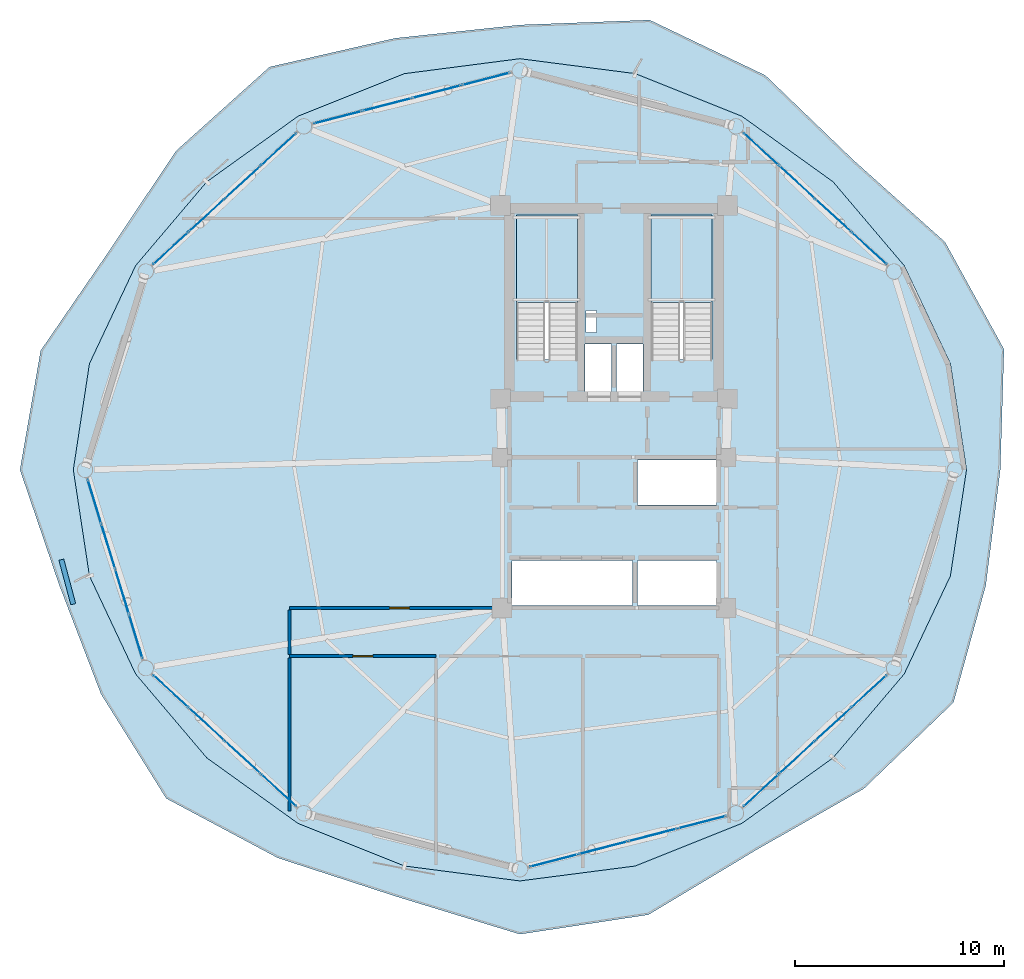
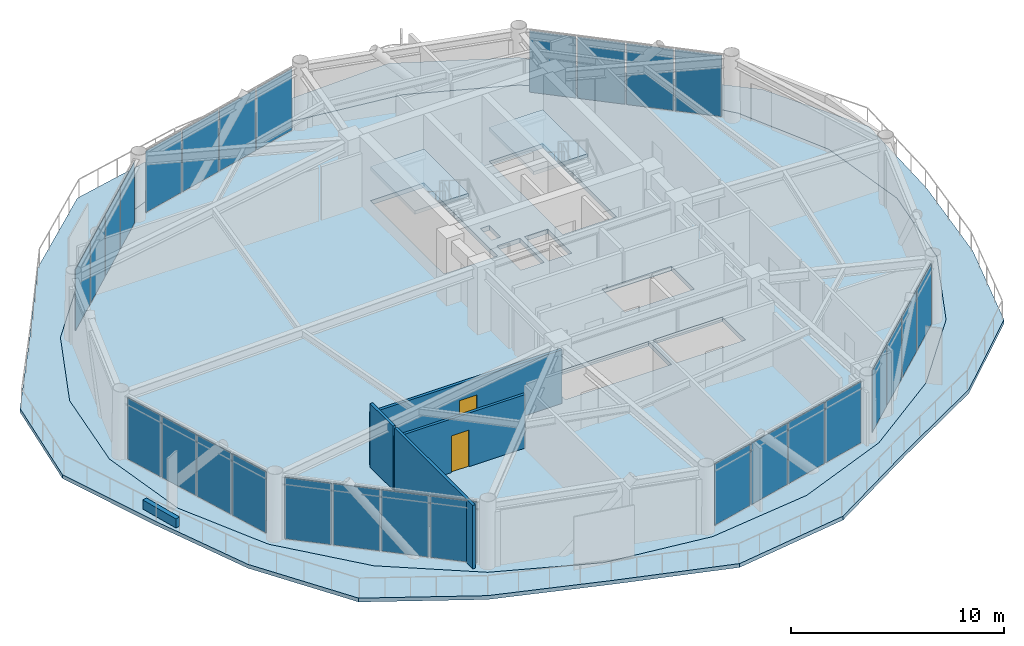
# One storey, part 17 of 23: 28 plates, 5 walls, 4 slabs, 2 doors, 2 openings, 9 elements without a shape of their own.
"""IFC4 building model written with IfcOpenShell, lengths in metres."""

import ifcopenshell
import ifcopenshell.guid

model = None  # the IFC model being written
_history = None  # IfcOwnerHistory: only IFC2X3 demands one
_inside = {}  # id of a spatial element -> (the spatial element, [elements in it])
_under = {}  # id of a project, library or spatial element -> (it, [spatial elements below it])
_declared = {}  # id of a project -> (the project, [libraries it declares])
_typed = {}  # id of a type object -> (the type object, [elements of that type])
_made_of = {}  # id of a material, layer set ... -> (it, [elements and type objects made of it])


def new_model(schema):
    """Start an empty IFC model of exactly this schema.

    Asked for "IFC4X3", IfcOpenShell would pick the latest addendum, in which some entities
    have other attributes; the version numbers below select the first issue.
    IFC2X3 requires an IfcOwnerHistory on every rooted entity: one is made here for all.
    """
    global model, _history
    if schema == "IFC4X3":
        model = ifcopenshell.file(schema_version=(4, 3, 0, 0))
    else:
        model = ifcopenshell.file(schema=schema)
    _inside.clear()
    _under.clear()
    _declared.clear()
    _typed.clear()
    _made_of.clear()
    _history = None
    if model.schema == "IFC2X3":
        org = make("IfcOrganization", Name="unknown")
        user = make(
            "IfcPersonAndOrganization",
            ThePerson=make("IfcPerson", FamilyName="unknown"),
            TheOrganization=org,
        )
        app = make(
            "IfcApplication",
            ApplicationDeveloper=org,
            Version="unknown",
            ApplicationFullName="unknown",
            ApplicationIdentifier="unknown",
        )
        _history = make(
            "IfcOwnerHistory",
            OwningUser=user,
            OwningApplication=app,
            ChangeAction="ADDED",
            CreationDate=0,
        )
    return model


def make(cls, **values):
    """One entity of the class cls with the attributes given. An attribute that is None is left unset."""
    return model.create_entity(
        cls, **{name: value for name, value in values.items() if value is not None}
    )


def rooted(cls, **values):
    """An entity with a GlobalId (a new one), such as an element, a storey or a relation."""
    return make(cls, GlobalId=ifcopenshell.guid.new(), OwnerHistory=_history, **values)


def si_unit(unit_type, name, prefix=None):
    """IfcSIUnit, for example si_unit("LENGTHUNIT", "METRE", prefix="MILLI")."""
    return make("IfcSIUnit", UnitType=unit_type, Prefix=prefix, Name=name)


def assignment(units):
    """IfcUnitAssignment: the units of a project."""
    return None if units is None else make("IfcUnitAssignment", Units=units)


def point(xyz):
    """IfcCartesianPoint."""
    return None if xyz is None else make("IfcCartesianPoint", Coordinates=xyz)


def direction(xyz):
    """IfcDirection."""
    return None if xyz is None else make("IfcDirection", DirectionRatios=xyz)


def frame(location, z_axis=None, x_axis=None):
    """IfcAxis2Placement3D, a coordinate frame: its origin and axes. An axis left out is left unset."""
    return make(
        "IfcAxis2Placement3D",
        Location=point(location),
        Axis=direction(z_axis),
        RefDirection=direction(x_axis),
    )


def frame_2d(location, x_axis=None):
    """IfcAxis2Placement2D, a coordinate frame in the plane: its origin and x axis."""
    return make(
        "IfcAxis2Placement2D", Location=point(location), RefDirection=direction(x_axis)
    )


def origin():
    """The frame at (0, 0, 0) with its axes left unset."""
    return frame((0.0, 0.0, 0.0))


def origin_2d():
    """The frame at (0, 0) in the plane with its x axis left unset."""
    return frame_2d((0.0, 0.0))


def place(relative_to, where):
    """IfcLocalPlacement: puts the frame where relative to a parent placement (None: the world)."""
    return make(
        "IfcLocalPlacement", PlacementRelTo=relative_to, RelativePlacement=where
    )


def context(
    kind, dimensions, precision=None, world=None, true_north=None, identifier=None
):
    """IfcGeometricRepresentationContext, for example the 3D "Model" context."""
    return make(
        "IfcGeometricRepresentationContext",
        ContextIdentifier=identifier,
        ContextType=kind,
        CoordinateSpaceDimension=dimensions,
        Precision=precision,
        WorldCoordinateSystem=world,
        TrueNorth=true_north,
    )


def subcontext(parent, identifier, kind, view, scale=None):
    """IfcGeometricRepresentationSubContext, for example "Body" below "Model"."""
    return make(
        "IfcGeometricRepresentationSubContext",
        ContextIdentifier=identifier,
        ContextType=kind,
        ParentContext=parent,
        TargetScale=scale,
        TargetView=view,
    )


def project(units=None, contexts=None):
    """IfcProject with its units and contexts."""
    return rooted(
        "IfcProject",
        Name="project",
        RepresentationContexts=contexts,
        UnitsInContext=assignment(units),
    )


def spatial(cls, under=None, at=None, **own):
    """A site, building, storey or space (cls), placed at a placement, below another one or the project."""
    s = rooted(cls, ObjectPlacement=at, **own)
    if under is not None:
        _under.setdefault(under.id(), (under, []))[1].append(s)
    return s


def polyline(points):
    """IfcPolyline through the points."""
    return make("IfcPolyline", Points=[point(p) for p in points])


def profile(cls, at=None, kind="AREA", **sizes):
    """A parametric profile (cls). Its sizes go by their IFC names, for example OverallWidth=200.0."""
    return make(cls, ProfileType=kind, Position=at, **sizes)


def rectangle(**sizes):
    """IfcRectangleProfileDef."""
    return profile("IfcRectangleProfileDef", **sizes)


def outline(outer, holes=None, kind="AREA"):
    """IfcArbitraryClosedProfileDef: a profile drawn as a closed curve; with holes, ...WithVoids."""
    if holes is None:
        return make("IfcArbitraryClosedProfileDef", ProfileType=kind, OuterCurve=outer)
    return make(
        "IfcArbitraryProfileDefWithVoids",
        ProfileType=kind,
        OuterCurve=outer,
        InnerCurves=holes,
    )


def extrude(swept, where, along, depth):
    """IfcExtrudedAreaSolid: the profile swept, set in the frame where, extruded along a direction by depth."""
    return make(
        "IfcExtrudedAreaSolid",
        SweptArea=swept,
        Position=where,
        ExtrudedDirection=direction(along),
        Depth=depth,
    )


def shape(context_of_items, identifier, shape_type, items):
    """IfcShapeRepresentation: the items that make up one representation, for example the "Body"."""
    return make(
        "IfcShapeRepresentation",
        ContextOfItems=context_of_items,
        RepresentationIdentifier=identifier,
        RepresentationType=shape_type,
        Items=items,
    )


def source(mapping_origin, context_of_items, identifier, shape_type, items):
    """IfcRepresentationMap: a shape defined once, which mapped items show again and again."""
    return make(
        "IfcRepresentationMap",
        MappingOrigin=mapping_origin,
        MappedRepresentation=shape(context_of_items, identifier, shape_type, items),
    )


def transform(
    local_origin,
    x_axis=None,
    y_axis=None,
    z_axis=None,
    scale=None,
    scale2=None,
    scale3=None,
    uniform=True,
):
    """IfcCartesianTransformationOperator3D, or its non-uniform kind. x_axis, y_axis, z_axis: its Axis1, 2, 3."""
    if uniform:
        return make(
            "IfcCartesianTransformationOperator3D",
            Axis1=direction(x_axis),
            Axis2=direction(y_axis),
            LocalOrigin=point(local_origin),
            Scale=scale,
            Axis3=direction(z_axis),
        )
    return make(
        "IfcCartesianTransformationOperator3DnonUniform",
        Axis1=direction(x_axis),
        Axis2=direction(y_axis),
        LocalOrigin=point(local_origin),
        Scale=scale,
        Axis3=direction(z_axis),
        Scale2=scale2,
        Scale3=scale3,
    )


def mapped(mapping_source, mapping_target):
    """IfcMappedItem: shows the shape of a source again, moved by a transform."""
    return make(
        "IfcMappedItem", MappingSource=mapping_source, MappingTarget=mapping_target
    )


def material(Name=None, Category=None):
    """IfcMaterial."""
    return make("IfcMaterial", Name=Name, Category=Category)


def layer(
    of_material, thickness, ventilated=None, Name=None, Category=None, Priority=None
):
    """IfcMaterialLayer: one layer of a wall or slab, of a material (None: an air gap)."""
    return make(
        "IfcMaterialLayer",
        Material=of_material,
        LayerThickness=thickness,
        IsVentilated=ventilated,
        Name=Name,
        Category=Category,
        Priority=Priority,
    )


def layer_set(layers, Name=None):
    """IfcMaterialLayerSet."""
    return make("IfcMaterialLayerSet", MaterialLayers=layers, LayerSetName=Name)


def made_of(thing, what):
    """Note that an element or type object is made of a material, layer set ...; save() writes the relation."""
    if what is not None:
        _made_of.setdefault(what.id(), (what, []))[1].append(thing)
    return thing


def type_object(cls, material=None, **own):
    """A type object (cls), such as IfcWallType, which elements share."""
    return made_of(rooted(cls, **own), material)


def type_shapes(of_type, sources):
    """Give a type object the sources (RepresentationMaps) that its elements show as mapped items."""
    of_type.RepresentationMaps = sources


def element(
    cls,
    number,
    at=None,
    inside=None,
    cuts=None,
    type_object=None,
    material=None,
    context=None,
    identifier="Body",
    shape_type=None,
    held_by="IfcProductDefinitionShape",
    body=None,
    shapes=None,
    **own,
):
    """One element of the class cls, such as IfcWall. Its Tag is "e" and its number.

    at: its placement. inside: the storey or other place that contains it. cuts: it is an
    opening in that element (IfcRelVoidsElement). A single representation is given by context,
    identifier, shape_type and body (its items); several are given by shapes. held_by: the class
    of the entity that holds the representations. save() writes the other relations.
    """
    e = rooted(cls, Tag="e%d" % number, ObjectPlacement=at, **own)
    if body is not None:
        shapes = [shape(context, identifier, shape_type, body)]
    if shapes is not None:
        e.Representation = make(held_by, Representations=shapes)
    if inside is not None:
        _inside.setdefault(inside.id(), (inside, []))[1].append(e)
    if cuts is not None:
        rooted(
            "IfcRelVoidsElement", RelatingBuildingElement=cuts, RelatedOpeningElement=e
        )
    if type_object is not None:
        _typed.setdefault(type_object.id(), (type_object, []))[1].append(e)
    return made_of(e, material)


def fill(opening, filler):
    """IfcRelFillsElement: the door or window that sits in an opening."""
    return rooted(
        "IfcRelFillsElement",
        RelatingOpeningElement=opening,
        RelatedBuildingElement=filler,
    )


def aggregate(whole, parts):
    """IfcRelAggregates: a whole, such as a stair, and the parts it consists of."""
    return rooted("IfcRelAggregates", RelatingObject=whole, RelatedObjects=parts)


def save(model, path):
    """Write the relations noted so far, then the file.

    IfcRelAggregates (storeys below a building ...), IfcRelContainedInSpatialStructure (elements
    in a storey), IfcRelDefinesByType, IfcRelAssociatesMaterial and IfcRelDeclares: one each for
    every whole, place, type object, material and project.
    """
    for whole, parts in _under.values():
        aggregate(whole, parts)
    for where, things in _inside.values():
        rooted(
            "IfcRelContainedInSpatialStructure",
            RelatedElements=things,
            RelatingStructure=where,
        )
    for kind, things in _typed.values():
        rooted("IfcRelDefinesByType", RelatedObjects=things, RelatingType=kind)
    for what, things in _made_of.values():
        rooted("IfcRelAssociatesMaterial", RelatedObjects=things, RelatingMaterial=what)
    for by, libraries in _declared.values():
        rooted("IfcRelDeclares", RelatingContext=by, RelatedDefinitions=libraries)
    model.write(path)


model = new_model("IFC4")

# Units and contexts
model_context = context("Model", 3, precision=1e-05, world=origin(), true_north=direction((0.0, 1.0)))
body_context = subcontext(model_context, "Body", "Model", "MODEL_VIEW")
ifc_project = project(units=[si_unit("LENGTHUNIT", "METRE"), si_unit("AREAUNIT", "SQUARE_METRE"), si_unit("VOLUMEUNIT", "CUBIC_METRE"), si_unit("PLANEANGLEUNIT", "RADIAN"), si_unit("MASSUNIT", "GRAM", prefix="KILO")], contexts=[model_context])

# Site, building, storey
site_placement = place(None, origin())
site = spatial("IfcSite", under=ifc_project, at=site_placement, CompositionType="ELEMENT")
building_placement = place(site_placement, origin())
building = spatial("IfcBuilding", under=site, at=building_placement, Name="Varnakorn Sky Granary", CompositionType="ELEMENT")
storey_placement = place(building_placement, frame((0.0, 0.0, 150.0)))
storey = spatial("IfcBuildingStorey", under=building, at=storey_placement, Name="L37", CompositionType="ELEMENT", Elevation=150.0)

# Stair, slab
ifc_material_1 = material(Name="Concrete C40/50", Category="concrete")
stair_type = type_object("IfcStairType", Name="ST-MAIN-ASSEMBLY", PredefinedType="HALF_TURN_STAIR", material=ifc_material_1)
stair_1_placement = place(storey_placement, origin())
stair_1 = element("IfcStair", 1, at=stair_1_placement, inside=storey, type_object=stair_type, Name="L37 Protected Exit Stair ST-1", PredefinedType="HALF_TURN_STAIR")
ifc_layer_1 = layer(ifc_material_1, 0.199951171875, Name="Concrete C40/50")
ifc_layer_set_1 = layer_set([ifc_layer_1], Name="Concrete C40/50")
slab_type_1 = type_object("IfcSlabType", Name="ST-MAIN-LAND", PredefinedType="LANDING", material=ifc_layer_set_1)
slab_1_placement = place(storey_placement, frame((0.0, 0.0, 1.75)))
slab_1 = element("IfcSlab", 2, at=slab_1_placement, type_object=slab_type_1, Name="ST-1 landing 1", PredefinedType="LANDING", context=body_context, shape_type="SweptSolid", body=[
    extrude(outline(polyline([(1.239990234375, 8.0), (1.239990234375, 12.179931640625), (-1.669921875, 12.179931640625), (-1.669921875, 8.0), (1.239990234375, 8.0)])), origin(), (0.0, 0.0, 1.0), 0.199951171875),
])
aggregate(stair_1, [slab_1])

stair_2_placement = place(storey_placement, origin())
stair_2 = element("IfcStair", 3, at=stair_2_placement, inside=storey, type_object=stair_type, Name="L37 Protected Exit Stair ST-2", PredefinedType="HALF_TURN_STAIR")
slab_2_placement = place(storey_placement, frame((0.0, 0.0, 1.75)))
slab_2 = element("IfcSlab", 4, at=slab_2_placement, type_object=slab_type_1, Name="ST-2 landing 1", PredefinedType="LANDING", context=body_context, shape_type="SweptSolid", body=[
    extrude(outline(polyline([(7.679931640625, 8.0), (7.679931640625, 12.179931640625), (4.77001953125, 12.179931640625), (4.77001953125, 8.0), (7.679931640625, 8.0)])), origin(), (0.0, 0.0, 1.0), 0.199951171875),
])
aggregate(stair_2, [slab_2])

# Slabs
ifc_material_2 = material(Name="Precast concrete C40/50", Category="concrete")
ifc_layer_2 = layer(ifc_material_2, 0.219970703125, Name="Precast concrete C40/50")
ifc_layer_set_2 = layer_set([ifc_layer_2], Name="Precast concrete C40/50")
slab_type_2 = type_object("IfcSlabType", Name="ST-SL-DECK-220", PredefinedType="FLOOR", material=ifc_layer_set_2)
slab_3_placement = place(storey_placement, frame((0.0, 0.0, -0.219970703125)))
element("IfcSlab", 5, at=slab_3_placement, inside=storey, type_object=slab_type_2, Name="Wavy Sky-Farm Balcony Deck L37", PredefinedType="FLOOR", context=body_context, shape_type="SweptSolid", body=[
    extrude(outline(polyline([(21.4462890625, 0.0), (21.623779296875, 5.75732421875), (18.807373046875, 10.876953125), (14.46142578125, 14.762939453125), (10.224365234375, 18.83935546875), (4.696044921875, 21.486572265625), (-1.5, 21.251220703125), (-7.462646484375, 20.61572265625), (-13.457763671875, 19.243408203125), (-17.92822265625, 15.229736328125), (-21.107177734375, 10.47265625), (-24.390380859375, 5.69482421875), (-25.379638671875, 0.0), (-23.519775390625, -5.46142578125), (-21.511474609375, -10.7060546875), (-18.39501953125, -15.6962890625), (-13.0537109375, -18.54345703125), (-7.400146484375, -20.38232421875), (-1.5, -22.184814453125), (4.633544921875, -21.25341796875), (9.8203125, -18.139404296875), (14.92822265625, -15.229736328125), (19.21142578125, -11.1103515625), (20.7529296875, -5.52392578125), (21.4462890625, 0.0)]), holes=[polyline([(19.8330078125, 0.0), (19.0625, 5.071044921875), (16.85791015625, 9.75146484375), (13.45751953125, 13.7587890625), (9.09912109375, 16.89013671875), (4.009765625, 18.92529296875), (-1.5, 19.637939453125), (-7.009765625, 18.92529296875), (-12.09912109375, 16.89013671875), (-16.45751953125, 13.7587890625), (-19.85791015625, 9.75146484375), (-22.0625, 5.071044921875), (-22.8330078125, 0.0), (-22.0625, -5.071044921875), (-19.85791015625, -9.75146484375), (-16.45751953125, -13.7587890625), (-12.09912109375, -16.89013671875), (-7.009765625, -18.92529296875), (-1.5, -19.637939453125), (4.009765625, -18.92529296875), (9.09912109375, -16.89013671875), (13.45751953125, -13.7587890625), (16.85791015625, -9.75146484375), (19.0625, -5.071044921875), (19.8330078125, 0.0)])]), origin(), (0.0, 0.0, 1.0), 0.219970703125),
])
ifc_material_3 = material(Name="Concrete C50/60", Category="concrete")
ifc_layer_3 = layer(ifc_material_3, 0.260009765625, Name="Concrete C50/60")
ifc_layer_set_3 = layer_set([ifc_layer_3], Name="Concrete C50/60")
slab_type_3 = type_object("IfcSlabType", Name="ST-SL-TWR-260", PredefinedType="FLOOR", material=ifc_layer_set_3)
slab_4_placement = place(storey_placement, frame((0.0, 0.0, -0.260009765625)))
element("IfcSlab", 6, at=slab_4_placement, inside=storey, type_object=slab_type_3, Name="Level L37 Structural Floor Slab", PredefinedType="FLOOR", context=body_context, shape_type="SweptSolid", body=[
    extrude(outline(polyline([(19.8330078125, 0.0), (19.0625, 5.071044921875), (16.85791015625, 9.75146484375), (13.45751953125, 13.7587890625), (9.09912109375, 16.89013671875), (4.009765625, 18.92529296875), (-1.5, 19.637939453125), (-7.009765625, 18.92529296875), (-12.09912109375, 16.89013671875), (-16.45751953125, 13.7587890625), (-19.85791015625, 9.75146484375), (-22.0625, 5.071044921875), (-22.8330078125, 0.0), (-22.0625, -5.071044921875), (-19.85791015625, -9.75146484375), (-16.45751953125, -13.7587890625), (-12.09912109375, -16.89013671875), (-7.009765625, -18.92529296875), (-1.5, -19.637939453125), (4.009765625, -18.92529296875), (9.09912109375, -16.89013671875), (13.45751953125, -13.7587890625), (16.85791015625, -9.75146484375), (19.0625, -5.071044921875), (19.8330078125, 0.0)]), holes=[polyline([(1.239990234375, 5.27490234375), (1.239990234375, 12.179931640625), (-1.669921875, 12.179931640625), (-1.669921875, 5.27490234375), (1.239990234375, 5.27490234375)]), polyline([(7.679931640625, 5.27490234375), (7.679931640625, 12.179931640625), (4.77001953125, 12.179931640625), (4.77001953125, 5.27490234375), (7.679931640625, 5.27490234375)]), polyline([(1.659912109375, 6.550048828125), (2.14990234375, 6.550048828125), (2.14990234375, 7.6201171875), (1.659912109375, 7.6201171875), (1.659912109375, 6.550048828125)]), polyline([(1.6201171875, 3.739990234375), (2.8798828125, 3.739990234375), (2.8798828125, 6.010009765625), (1.6201171875, 6.010009765625), (1.6201171875, 3.739990234375)]), polyline([(3.1201171875, 3.739990234375), (4.3798828125, 3.739990234375), (4.3798828125, 6.010009765625), (3.1201171875, 6.010009765625), (3.1201171875, 3.739990234375)]), polyline([(4.1201171875, -1.679931640625), (7.8798828125, -1.679931640625), (7.8798828125, 0.47998046875), (4.1201171875, 0.47998046875), (4.1201171875, -1.679931640625)]), polyline([(-1.8798828125, -6.47998046875), (3.8798828125, -6.47998046875), (3.8798828125, -4.320068359375), (-1.8798828125, -4.320068359375), (-1.8798828125, -6.47998046875)]), polyline([(4.1201171875, -6.47998046875), (7.8798828125, -6.47998046875), (7.8798828125, -4.320068359375), (4.1201171875, -4.320068359375), (4.1201171875, -6.47998046875)])]), origin(), (0.0, 0.0, 1.0), 0.260009765625),
])

# Curtain wall, plates
ifc_material_4 = material(Name="Anodised Bronze Aluminium Alloy 6063-T6", Category="aluminium")
ifc_layer_4 = layer(ifc_material_4, 0.179931640625, Name="Anodised Bronze Aluminium Alloy 6063-T6")
ifc_layer_set_4 = layer_set([ifc_layer_4], Name="Anodised Bronze Aluminium Alloy 6063-T6")
curtain_wall_type = type_object("IfcCurtainWallType", Name="CW-FRM-2", PredefinedType="USERDEFINED", material=ifc_layer_set_4)
curtain_wall_1_placement = place(storey_placement, origin())
curtain_wall_1 = element("IfcCurtainWall", 7, at=curtain_wall_1_placement, inside=storey, type_object=curtain_wall_type, Name="Unitised Curtain Wall CW4 CW-L37-B02", ObjectType="CURTAIN WALL", PredefinedType="USERDEFINED")
ifc_material_5 = material(Name="Low-E Tinted Laminated Glass", Category="glass")
ifc_layer_5 = layer(ifc_material_5, 0.02587890625, Name="Low-E Tinted Laminated Glass")
ifc_layer_set_5 = layer_set([ifc_layer_5], Name="Low-E Tinted Laminated Glass")
plate_type = type_object("IfcPlateType", Name="CW-FRM-2-PNL", PredefinedType="CURTAIN_PANEL")
shared_shape_1 = source(origin(), body_context, "Body", "SweptSolid", [
    extrude(rectangle(XDim=2.2392578125, YDim=0.02587890625, at=origin_2d()), origin(), (0.0, 0.0, 1.0), 3.510009765625),
])
plate_1_placement = place(storey_placement, frame((10.025390625, 15.31103515625, 0.06494140625), z_axis=(0.0, 0.0, 1.0), x_axis=(0.736694027012, -0.676226227357, 0.0)))
plate_1 = element("IfcPlate", 8, at=plate_1_placement, type_object=plate_type, material=ifc_layer_set_5, Name="CW4 vision glazing unit 1.1", PredefinedType="CURTAIN_PANEL", context=body_context, shape_type="MappedRepresentation", body=[
    mapped(shared_shape_1, transform((0.0, 0.0, 0.0), x_axis=(1.0, 0.0, 0.0), y_axis=(0.0, 1.0, 0.0), z_axis=(0.0, 0.0, 1.0), scale=1.0)),
])
plate_2_placement = place(storey_placement, frame((15.180419921875, 10.5791015625, 0.06494140625), z_axis=(0.0, 0.0, 1.0), x_axis=(0.736694027012, -0.676226227357, 0.0)))
plate_2 = element("IfcPlate", 9, at=plate_2_placement, type_object=plate_type, material=ifc_layer_set_5, Name="CW4 vision glazing unit 4.1", PredefinedType="CURTAIN_PANEL", context=body_context, shape_type="MappedRepresentation", body=[
    mapped(shared_shape_1, transform((0.0, 0.0, 0.0), x_axis=(1.0, 0.0, 0.0), y_axis=(0.0, 1.0, 0.0), z_axis=(0.0, 0.0, 1.0), scale=1.0)),
])

curtain_wall_2_placement = place(storey_placement, origin())
curtain_wall_2 = element("IfcCurtainWall", 10, at=curtain_wall_2_placement, inside=storey, type_object=curtain_wall_type, Name="Unitised Curtain Wall CW4 CW-L37-B05", ObjectType="CURTAIN WALL", PredefinedType="USERDEFINED")
plate_3_placement = place(storey_placement, frame((-18.180419921875, 10.5791015625, 0.06494140625), z_axis=(0.0, 0.0, 1.0), x_axis=(0.736694027012, 0.676226227357, 0.0)))
plate_3 = element("IfcPlate", 11, at=plate_3_placement, type_object=plate_type, material=ifc_layer_set_5, Name="CW4 vision glazing unit 1.1", PredefinedType="CURTAIN_PANEL", context=body_context, shape_type="MappedRepresentation", body=[
    mapped(shared_shape_1, transform((0.0, 0.0, 0.0), x_axis=(1.0, 0.0, 0.0), y_axis=(0.0, 1.0, 0.0), z_axis=(0.0, 0.0, 1.0), scale=1.0)),
])
plate_4_placement = place(storey_placement, frame((-13.025390625, 15.31103515625, 0.06494140625), z_axis=(0.0, 0.0, 1.0), x_axis=(0.736694027012, 0.676226227357, 0.0)))
plate_4 = element("IfcPlate", 12, at=plate_4_placement, type_object=plate_type, material=ifc_layer_set_5, Name="CW4 vision glazing unit 4.1", PredefinedType="CURTAIN_PANEL", context=body_context, shape_type="MappedRepresentation", body=[
    mapped(shared_shape_1, transform((0.0, 0.0, 0.0), x_axis=(1.0, 0.0, 0.0), y_axis=(0.0, 1.0, 0.0), z_axis=(0.0, 0.0, 1.0), scale=1.0)),
])

curtain_wall_3_placement = place(storey_placement, origin())
curtain_wall_3 = element("IfcCurtainWall", 13, at=curtain_wall_3_placement, inside=storey, type_object=curtain_wall_type, Name="Unitised Curtain Wall CW4 CW-L37-B08", ObjectType="CURTAIN WALL", PredefinedType="USERDEFINED")
plate_5_placement = place(storey_placement, frame((-13.025390625, -15.31103515625, 0.06494140625), z_axis=(0.0, 0.0, 1.0), x_axis=(-0.736694027012, 0.676226227357, 0.0)))
plate_5 = element("IfcPlate", 14, at=plate_5_placement, type_object=plate_type, material=ifc_layer_set_5, Name="CW4 vision glazing unit 1.1", PredefinedType="CURTAIN_PANEL", context=body_context, shape_type="MappedRepresentation", body=[
    mapped(shared_shape_1, transform((0.0, 0.0, 0.0), x_axis=(1.0, 0.0, 0.0), y_axis=(0.0, 1.0, 0.0), z_axis=(0.0, 0.0, 1.0), scale=1.0)),
])
plate_6_placement = place(storey_placement, frame((-18.180419921875, -10.5791015625, 0.06494140625), z_axis=(0.0, 0.0, 1.0), x_axis=(-0.736694027012, 0.676226227357, 0.0)))
plate_6 = element("IfcPlate", 15, at=plate_6_placement, type_object=plate_type, material=ifc_layer_set_5, Name="CW4 vision glazing unit 4.1", PredefinedType="CURTAIN_PANEL", context=body_context, shape_type="MappedRepresentation", body=[
    mapped(shared_shape_1, transform((0.0, 0.0, 0.0), x_axis=(1.0, 0.0, 0.0), y_axis=(0.0, 1.0, 0.0), z_axis=(0.0, 0.0, 1.0), scale=1.0)),
])

curtain_wall_4_placement = place(storey_placement, origin())
curtain_wall_4 = element("IfcCurtainWall", 16, at=curtain_wall_4_placement, inside=storey, type_object=curtain_wall_type, Name="Unitised Curtain Wall CW4 CW-L37-B11", ObjectType="CURTAIN WALL", PredefinedType="USERDEFINED")
plate_7_placement = place(storey_placement, frame((15.180419921875, -10.5791015625, 0.06494140625), z_axis=(0.0, 0.0, 1.0), x_axis=(-0.736694027012, -0.676226227357, 0.0)))
plate_7 = element("IfcPlate", 17, at=plate_7_placement, type_object=plate_type, material=ifc_layer_set_5, Name="CW4 vision glazing unit 1.1", PredefinedType="CURTAIN_PANEL", context=body_context, shape_type="MappedRepresentation", body=[
    mapped(shared_shape_1, transform((0.0, 0.0, 0.0), x_axis=(1.0, 0.0, 0.0), y_axis=(0.0, 1.0, 0.0), z_axis=(0.0, 0.0, 1.0), scale=1.0)),
])
plate_8_placement = place(storey_placement, frame((10.025390625, -15.31103515625, 0.06494140625), z_axis=(0.0, 0.0, 1.0), x_axis=(-0.736694027012, -0.676226227357, 0.0)))
plate_8 = element("IfcPlate", 18, at=plate_8_placement, type_object=plate_type, material=ifc_layer_set_5, Name="CW4 vision glazing unit 4.1", PredefinedType="CURTAIN_PANEL", context=body_context, shape_type="MappedRepresentation", body=[
    mapped(shared_shape_1, transform((0.0, 0.0, 0.0), x_axis=(1.0, 0.0, 0.0), y_axis=(0.0, 1.0, 0.0), z_axis=(0.0, 0.0, 1.0), scale=1.0)),
])

# Plate
ifc_material_6 = material(Name="Opaque Insulated Aluminium Shadow-Box Unit", Category="aluminium")
ifc_layer_6 = layer(ifc_material_6, 0.02587890625, Name="Opaque Insulated Aluminium Shadow-Box Unit")
ifc_layer_set_6 = layer_set([ifc_layer_6], Name="Opaque Insulated Aluminium Shadow-Box Unit")
shared_shape_2 = source(origin(), body_context, "Body", "SweptSolid", [
    extrude(rectangle(XDim=2.274169921875, YDim=0.02587890625, at=origin_2d()), origin(), (0.0, 0.0, 1.0), 3.510009765625),
])
plate_9_placement = place(storey_placement, frame((11.7392578125, 13.73779296875, 0.06494140625), z_axis=(0.0, 0.0, 1.0), x_axis=(0.736694027012, -0.676226227357, 0.0)))
plate_9 = element("IfcPlate", 19, at=plate_9_placement, type_object=plate_type, material=ifc_layer_set_6, Name="CW4 opaque insulated shadow-box unit 2.1", PredefinedType="CURTAIN_PANEL", context=body_context, shape_type="MappedRepresentation", body=[
    mapped(shared_shape_2, transform((0.0, 0.0, 0.0), x_axis=(1.0, 0.0, 0.0), y_axis=(0.0, 1.0, 0.0), z_axis=(0.0, 0.0, 1.0), scale=1.0)),
])

plate_10_placement = place(storey_placement, frame((13.46630859375, 12.152587890625, 0.06494140625), z_axis=(0.0, 0.0, 1.0), x_axis=(0.736694027012, -0.676226227357, 0.0)))
plate_10 = element("IfcPlate", 20, at=plate_10_placement, type_object=plate_type, material=ifc_layer_set_6, Name="CW4 opaque insulated shadow-box unit 3.1", PredefinedType="CURTAIN_PANEL", context=body_context, shape_type="MappedRepresentation", body=[
    mapped(shared_shape_2, transform((0.0, 0.0, 0.0), x_axis=(1.0, 0.0, 0.0), y_axis=(0.0, 1.0, 0.0), z_axis=(0.0, 0.0, 1.0), scale=1.0)),
])

aggregate(curtain_wall_1, [plate_1, plate_9, plate_10, plate_2])

plate_11_placement = place(storey_placement, frame((-16.46630859375, 12.152587890625, 0.06494140625), z_axis=(0.0, 0.0, 1.0), x_axis=(0.736694027012, 0.676226227357, 0.0)))
plate_11 = element("IfcPlate", 21, at=plate_11_placement, type_object=plate_type, material=ifc_layer_set_6, Name="CW4 opaque insulated shadow-box unit 2.1", PredefinedType="CURTAIN_PANEL", context=body_context, shape_type="MappedRepresentation", body=[
    mapped(shared_shape_2, transform((0.0, 0.0, 0.0), x_axis=(1.0, 0.0, 0.0), y_axis=(0.0, 1.0, 0.0), z_axis=(0.0, 0.0, 1.0), scale=1.0)),
])

plate_12_placement = place(storey_placement, frame((-14.7392578125, 13.73779296875, 0.06494140625), z_axis=(0.0, 0.0, 1.0), x_axis=(0.736694027012, 0.676226227357, 0.0)))
plate_12 = element("IfcPlate", 22, at=plate_12_placement, type_object=plate_type, material=ifc_layer_set_6, Name="CW4 opaque insulated shadow-box unit 3.1", PredefinedType="CURTAIN_PANEL", context=body_context, shape_type="MappedRepresentation", body=[
    mapped(shared_shape_2, transform((0.0, 0.0, 0.0), x_axis=(1.0, 0.0, 0.0), y_axis=(0.0, 1.0, 0.0), z_axis=(0.0, 0.0, 1.0), scale=1.0)),
])

aggregate(curtain_wall_2, [plate_3, plate_11, plate_12, plate_4])

plate_13_placement = place(storey_placement, frame((-14.7392578125, -13.73779296875, 0.06494140625), z_axis=(0.0, 0.0, 1.0), x_axis=(-0.736694027012, 0.676226227357, 0.0)))
plate_13 = element("IfcPlate", 23, at=plate_13_placement, type_object=plate_type, material=ifc_layer_set_6, Name="CW4 opaque insulated shadow-box unit 2.1", PredefinedType="CURTAIN_PANEL", context=body_context, shape_type="MappedRepresentation", body=[
    mapped(shared_shape_2, transform((0.0, 0.0, 0.0), x_axis=(1.0, 0.0, 0.0), y_axis=(0.0, 1.0, 0.0), z_axis=(0.0, 0.0, 1.0), scale=1.0)),
])

plate_14_placement = place(storey_placement, frame((-16.46630859375, -12.152587890625, 0.06494140625), z_axis=(0.0, 0.0, 1.0), x_axis=(-0.736694027012, 0.676226227357, 0.0)))
plate_14 = element("IfcPlate", 24, at=plate_14_placement, type_object=plate_type, material=ifc_layer_set_6, Name="CW4 opaque insulated shadow-box unit 3.1", PredefinedType="CURTAIN_PANEL", context=body_context, shape_type="MappedRepresentation", body=[
    mapped(shared_shape_2, transform((0.0, 0.0, 0.0), x_axis=(1.0, 0.0, 0.0), y_axis=(0.0, 1.0, 0.0), z_axis=(0.0, 0.0, 1.0), scale=1.0)),
])

aggregate(curtain_wall_3, [plate_5, plate_13, plate_14, plate_6])

plate_15_placement = place(storey_placement, frame((13.46630859375, -12.152587890625, 0.06494140625), z_axis=(0.0, 0.0, 1.0), x_axis=(-0.736694027012, -0.676226227357, 0.0)))
plate_15 = element("IfcPlate", 25, at=plate_15_placement, type_object=plate_type, material=ifc_layer_set_6, Name="CW4 opaque insulated shadow-box unit 2.1", PredefinedType="CURTAIN_PANEL", context=body_context, shape_type="MappedRepresentation", body=[
    mapped(shared_shape_2, transform((0.0, 0.0, 0.0), x_axis=(1.0, 0.0, 0.0), y_axis=(0.0, 1.0, 0.0), z_axis=(0.0, 0.0, 1.0), scale=1.0)),
])

plate_16_placement = place(storey_placement, frame((11.7392578125, -13.73779296875, 0.06494140625), z_axis=(0.0, 0.0, 1.0), x_axis=(-0.736694027012, -0.676226227357, 0.0)))
plate_16 = element("IfcPlate", 26, at=plate_16_placement, type_object=plate_type, material=ifc_layer_set_6, Name="CW4 opaque insulated shadow-box unit 3.1", PredefinedType="CURTAIN_PANEL", context=body_context, shape_type="MappedRepresentation", body=[
    mapped(shared_shape_2, transform((0.0, 0.0, 0.0), x_axis=(1.0, 0.0, 0.0), y_axis=(0.0, 1.0, 0.0), z_axis=(0.0, 0.0, 1.0), scale=1.0)),
])

aggregate(curtain_wall_4, [plate_7, plate_15, plate_16, plate_8])

# Curtain wall, plates
curtain_wall_5_placement = place(storey_placement, origin())
curtain_wall_5 = element("IfcCurtainWall", 27, at=curtain_wall_5_placement, inside=storey, type_object=curtain_wall_type, Name="Unitised Curtain Wall CW4 CW-L37-B04", ObjectType="CURTAIN WALL", PredefinedType="USERDEFINED")
shared_shape_3 = source(origin(), body_context, "Body", "SweptSolid", [
    extrude(rectangle(XDim=2.340576171875, YDim=0.02587890625, at=origin_2d()), origin(), (0.0, 0.0, 1.0), 3.510009765625),
])
plate_17_placement = place(storey_placement, frame((-10.1962890625, 16.83544921875, 0.06494140625), z_axis=(0.0, 0.0, 1.0), x_axis=(0.968052425865, 0.250747882896, 0.0)))
plate_17 = element("IfcPlate", 28, at=plate_17_placement, type_object=plate_type, material=ifc_layer_set_5, Name="CW4 vision glazing unit 1.1", PredefinedType="CURTAIN_PANEL", context=body_context, shape_type="MappedRepresentation", body=[
    mapped(shared_shape_3, transform((0.0, 0.0, 0.0), x_axis=(1.0, 0.0, 0.0), y_axis=(0.0, 1.0, 0.0), z_axis=(0.0, 0.0, 1.0), scale=1.0)),
])
plate_18_placement = place(storey_placement, frame((-3.127685546875, 18.66650390625, 0.06494140625), z_axis=(0.0, 0.0, 1.0), x_axis=(0.968052425865, 0.250747882896, 0.0)))
plate_18 = element("IfcPlate", 29, at=plate_18_placement, type_object=plate_type, material=ifc_layer_set_5, Name="CW4 vision glazing unit 4.1", PredefinedType="CURTAIN_PANEL", context=body_context, shape_type="MappedRepresentation", body=[
    mapped(shared_shape_3, transform((0.0, 0.0, 0.0), x_axis=(1.0, 0.0, 0.0), y_axis=(0.0, 1.0, 0.0), z_axis=(0.0, 0.0, 1.0), scale=1.0)),
])

curtain_wall_6_placement = place(storey_placement, origin())
curtain_wall_6 = element("IfcCurtainWall", 30, at=curtain_wall_6_placement, inside=storey, type_object=curtain_wall_type, Name="Unitised Curtain Wall CW4 CW-L37-B10", ObjectType="CURTAIN WALL", PredefinedType="USERDEFINED")
plate_19_placement = place(storey_placement, frame((7.1962890625, -16.83544921875, 0.06494140625), z_axis=(0.0, 0.0, 1.0), x_axis=(-0.968052425865, -0.250747882896, 0.0)))
plate_19 = element("IfcPlate", 31, at=plate_19_placement, type_object=plate_type, material=ifc_layer_set_5, Name="CW4 vision glazing unit 1.1", PredefinedType="CURTAIN_PANEL", context=body_context, shape_type="MappedRepresentation", body=[
    mapped(shared_shape_3, transform((0.0, 0.0, 0.0), x_axis=(1.0, 0.0, 0.0), y_axis=(0.0, 1.0, 0.0), z_axis=(0.0, 0.0, 1.0), scale=1.0)),
])
plate_20_placement = place(storey_placement, frame((0.127685546875, -18.66650390625, 0.06494140625), z_axis=(0.0, 0.0, 1.0), x_axis=(-0.968052425865, -0.250747882896, 0.0)))
plate_20 = element("IfcPlate", 32, at=plate_20_placement, type_object=plate_type, material=ifc_layer_set_5, Name="CW4 vision glazing unit 4.1", PredefinedType="CURTAIN_PANEL", context=body_context, shape_type="MappedRepresentation", body=[
    mapped(shared_shape_3, transform((0.0, 0.0, 0.0), x_axis=(1.0, 0.0, 0.0), y_axis=(0.0, 1.0, 0.0), z_axis=(0.0, 0.0, 1.0), scale=1.0)),
])

# Plate
shared_shape_4 = source(origin(), body_context, "Body", "SweptSolid", [
    extrude(rectangle(XDim=2.375732421875, YDim=0.02587890625, at=origin_2d()), origin(), (0.0, 0.0, 1.0), 3.510009765625),
])
plate_21_placement = place(storey_placement, frame((-7.845703125, 17.4443359375, 0.06494140625), z_axis=(0.0, 0.0, 1.0), x_axis=(0.968052425865, 0.250747882896, 0.0)))
plate_21 = element("IfcPlate", 33, at=plate_21_placement, type_object=plate_type, material=ifc_layer_set_6, Name="CW4 opaque insulated shadow-box unit 2.1", PredefinedType="CURTAIN_PANEL", context=body_context, shape_type="MappedRepresentation", body=[
    mapped(shared_shape_4, transform((0.0, 0.0, 0.0), x_axis=(1.0, 0.0, 0.0), y_axis=(0.0, 1.0, 0.0), z_axis=(0.0, 0.0, 1.0), scale=1.0)),
])

plate_22_placement = place(storey_placement, frame((-5.478271484375, 18.0576171875, 0.06494140625), z_axis=(0.0, 0.0, 1.0), x_axis=(0.968052425865, 0.250747882896, 0.0)))
plate_22 = element("IfcPlate", 34, at=plate_22_placement, type_object=plate_type, material=ifc_layer_set_6, Name="CW4 opaque insulated shadow-box unit 3.1", PredefinedType="CURTAIN_PANEL", context=body_context, shape_type="MappedRepresentation", body=[
    mapped(shared_shape_4, transform((0.0, 0.0, 0.0), x_axis=(1.0, 0.0, 0.0), y_axis=(0.0, 1.0, 0.0), z_axis=(0.0, 0.0, 1.0), scale=1.0)),
])

aggregate(curtain_wall_5, [plate_17, plate_21, plate_22, plate_18])

plate_23_placement = place(storey_placement, frame((4.845703125, -17.4443359375, 0.06494140625), z_axis=(0.0, 0.0, 1.0), x_axis=(-0.968052425865, -0.250747882896, 0.0)))
plate_23 = element("IfcPlate", 35, at=plate_23_placement, type_object=plate_type, material=ifc_layer_set_6, Name="CW4 opaque insulated shadow-box unit 2.1", PredefinedType="CURTAIN_PANEL", context=body_context, shape_type="MappedRepresentation", body=[
    mapped(shared_shape_4, transform((0.0, 0.0, 0.0), x_axis=(1.0, 0.0, 0.0), y_axis=(0.0, 1.0, 0.0), z_axis=(0.0, 0.0, 1.0), scale=1.0)),
])

plate_24_placement = place(storey_placement, frame((2.478271484375, -18.0576171875, 0.06494140625), z_axis=(0.0, 0.0, 1.0), x_axis=(-0.968052425865, -0.250747882896, 0.0)))
plate_24 = element("IfcPlate", 36, at=plate_24_placement, type_object=plate_type, material=ifc_layer_set_6, Name="CW4 opaque insulated shadow-box unit 3.1", PredefinedType="CURTAIN_PANEL", context=body_context, shape_type="MappedRepresentation", body=[
    mapped(shared_shape_4, transform((0.0, 0.0, 0.0), x_axis=(1.0, 0.0, 0.0), y_axis=(0.0, 1.0, 0.0), z_axis=(0.0, 0.0, 1.0), scale=1.0)),
])

aggregate(curtain_wall_6, [plate_19, plate_23, plate_24, plate_20])

# Curtain wall, plates
curtain_wall_7_placement = place(storey_placement, origin())
curtain_wall_7 = element("IfcCurtainWall", 37, at=curtain_wall_7_placement, inside=storey, type_object=curtain_wall_type, Name="Unitised Curtain Wall CW4 CW-L37-B07", ObjectType="CURTAIN WALL", PredefinedType="USERDEFINED")
shared_shape_5 = source(origin(), body_context, "Body", "SweptSolid", [
    extrude(rectangle(XDim=2.152099609375, YDim=0.02587890625, at=origin_2d()), origin(), (0.0, 0.0, 1.0), 3.510009765625),
])
plate_25_placement = place(storey_placement, frame((-19.84619140625, -7.958984375, 0.06494140625), z_axis=(0.0, 0.0, 1.0), x_axis=(-0.292746099222, 0.95619021193, 0.0)))
plate_25 = element("IfcPlate", 38, at=plate_25_placement, type_object=plate_type, material=ifc_layer_set_5, Name="CW4 vision glazing unit 1.1", PredefinedType="CURTAIN_PANEL", context=body_context, shape_type="MappedRepresentation", body=[
    mapped(shared_shape_5, transform((0.0, 0.0, 0.0), x_axis=(1.0, 0.0, 0.0), y_axis=(0.0, 1.0, 0.0), z_axis=(0.0, 0.0, 1.0), scale=1.0)),
])
plate_26_placement = place(storey_placement, frame((-21.818359375, -1.517578125, 0.06494140625), z_axis=(0.0, 0.0, 1.0), x_axis=(-0.292746099222, 0.95619021193, 0.0)))
plate_26 = element("IfcPlate", 39, at=plate_26_placement, type_object=plate_type, material=ifc_layer_set_5, Name="CW4 vision glazing unit 4.1", PredefinedType="CURTAIN_PANEL", context=body_context, shape_type="MappedRepresentation", body=[
    mapped(shared_shape_5, transform((0.0, 0.0, 0.0), x_axis=(1.0, 0.0, 0.0), y_axis=(0.0, 1.0, 0.0), z_axis=(0.0, 0.0, 1.0), scale=1.0)),
])
shared_shape_6 = source(origin(), body_context, "Body", "SweptSolid", [
    extrude(rectangle(XDim=2.187255859375, YDim=0.02587890625, at=origin_2d()), origin(), (0.0, 0.0, 1.0), 3.510009765625),
])
type_shapes(plate_type, [shared_shape_1, shared_shape_2, shared_shape_3, shared_shape_4, shared_shape_5, shared_shape_6])
plate_27_placement = place(storey_placement, frame((-20.501953125, -5.8173828125, 0.06494140625), z_axis=(0.0, 0.0, 1.0), x_axis=(-0.292746099222, 0.95619021193, 0.0)))
plate_27 = element("IfcPlate", 40, at=plate_27_placement, type_object=plate_type, material=ifc_layer_set_6, Name="CW4 opaque insulated shadow-box unit 2.1", PredefinedType="CURTAIN_PANEL", context=body_context, shape_type="MappedRepresentation", body=[
    mapped(shared_shape_6, transform((0.0, 0.0, 0.0), x_axis=(1.0, 0.0, 0.0), y_axis=(0.0, 1.0, 0.0), z_axis=(0.0, 0.0, 1.0), scale=1.0)),
])
plate_28_placement = place(storey_placement, frame((-21.162841796875, -3.6591796875, 0.06494140625), z_axis=(0.0, 0.0, 1.0), x_axis=(-0.292746099222, 0.95619021193, 0.0)))
plate_28 = element("IfcPlate", 41, at=plate_28_placement, type_object=plate_type, material=ifc_layer_set_6, Name="CW4 opaque insulated shadow-box unit 3.1", PredefinedType="CURTAIN_PANEL", context=body_context, shape_type="MappedRepresentation", body=[
    mapped(shared_shape_6, transform((0.0, 0.0, 0.0), x_axis=(1.0, 0.0, 0.0), y_axis=(0.0, 1.0, 0.0), z_axis=(0.0, 0.0, 1.0), scale=1.0)),
])
aggregate(curtain_wall_7, [plate_25, plate_27, plate_28, plate_26])

# Wall, opening, door
ifc_material_7 = material(Name="Gypsum Plasterboard on Steel Stud", Category="steel")
ifc_layer_7 = layer(ifc_material_7, 0.14990234375, Name="Gypsum Plasterboard on Steel Stud")
ifc_layer_set_7 = layer_set([ifc_layer_7], Name="Gypsum Plasterboard on Steel Stud")
wall_type_1 = type_object("IfcWallType", Name="WT-PART-150", PredefinedType="PARTITIONING", material=ifc_layer_set_7)
wall_1_placement = place(storey_placement, frame((-12.5, -8.89990234375, 0.0), z_axis=(0.0, 0.0, 1.0), x_axis=(1.0, 0.0, 0.0)))
wall_1 = element("IfcWall", 42, at=wall_1_placement, inside=storey, type_object=wall_type_1, Name="Interior Partition Wall L37-020", PredefinedType="PARTITIONING", context=body_context, shape_type="SweptSolid", body=[
    extrude(rectangle(XDim=7.0, YDim=0.14990234375, at=frame_2d((3.5, 0.0))), origin(), (0.0, 0.0, 1.0), 3.072021484375),
])
opening_1_placement = place(wall_1_placement, frame((3.02490234375, 0.0, 0.0)))
opening_1 = element("IfcOpeningElement", 43, at=opening_1_placement, cuts=wall_1, Name="Opening ID-95", PredefinedType="OPENING", context=body_context, shape_type="SweptSolid", body=[
    extrude(rectangle(XDim=0.949951171875, YDim=2.10009765625, at=frame_2d((0.47509765625, 1.050048828125))), frame((0.0, 0.0849609375, 0.0), z_axis=(0.0, -1.0, 0.0), x_axis=(1.0, 0.0, 0.0)), (0.0, 0.0, 1.0), 0.169921875),
])
ifc_material_8 = material(Name="Solid-Core Teak Veneer Leaf", Category="timber")
door_type = type_object("IfcDoorType", Name="DR-INT-950", OperationType="NOTDEFINED", PredefinedType="DOOR", material=ifc_material_8)
door_1_placement = place(opening_1_placement, origin())
door_1 = element("IfcDoor", 44, at=door_1_placement, inside=storey, type_object=door_type, Name="Interior Door L37-020-1", OperationType="SINGLE_SWING_LEFT", OverallHeight=2.10009765625, OverallWidth=0.949951171875, PredefinedType="DOOR", context=body_context, shape_type="SweptSolid", body=[
    extrude(rectangle(XDim=0.949951171875, YDim=2.10009765625, at=frame_2d((0.47509765625, 1.050048828125))), frame((0.0, 0.02490234375, 0.0), z_axis=(0.0, -1.0, 0.0), x_axis=(1.0, 0.0, 0.0)), (0.0, 0.0, 1.0), 0.050048828125),
])
fill(opening_1, door_1)

wall_2_placement = place(storey_placement, frame((-2.159912109375, -6.60009765625, 0.0), z_axis=(0.0, 0.0, 1.0), x_axis=(-1.0, 0.0, 0.0)))
wall_2 = element("IfcWall", 45, at=wall_2_placement, inside=storey, type_object=wall_type_1, Name="Interior Partition Wall L37-024", PredefinedType="PARTITIONING", context=body_context, shape_type="SweptSolid", body=[
    extrude(rectangle(XDim=10.340087890625, YDim=0.14990234375, at=frame_2d((5.169921875, 0.0))), origin(), (0.0, 0.0, 1.0), 3.072021484375),
])
opening_2_placement = place(wall_2_placement, frame((4.614990234375, 0.0, 0.0)))
opening_2 = element("IfcOpeningElement", 46, at=opening_2_placement, cuts=wall_2, Name="Opening ID-95", PredefinedType="OPENING", context=body_context, shape_type="SweptSolid", body=[
    extrude(rectangle(XDim=0.949951171875, YDim=2.10009765625, at=frame_2d((0.47509765625, 1.050048828125))), frame((0.0, 0.0849609375, 0.0), z_axis=(0.0, -1.0, 0.0), x_axis=(1.0, 0.0, 0.0)), (0.0, 0.0, 1.0), 0.169921875),
])
door_2_placement = place(opening_2_placement, origin())
door_2 = element("IfcDoor", 47, at=door_2_placement, inside=storey, type_object=door_type, Name="Interior Door L37-024-1", OperationType="SINGLE_SWING_LEFT", OverallHeight=2.10009765625, OverallWidth=0.949951171875, PredefinedType="DOOR", context=body_context, shape_type="SweptSolid", body=[
    extrude(rectangle(XDim=0.949951171875, YDim=2.10009765625, at=frame_2d((0.47509765625, 1.050048828125))), frame((0.0, 0.02490234375, 0.0), z_axis=(0.0, -1.0, 0.0), x_axis=(1.0, 0.0, 0.0)), (0.0, 0.0, 1.0), 0.050048828125),
])
fill(opening_2, door_2)

# Walls
wall_3_placement = place(storey_placement, frame((-12.5, -16.30810546875, 0.0), z_axis=(0.0, 0.0, 1.0), x_axis=(0.0, 1.0, 0.0)))
element("IfcWall", 48, at=wall_3_placement, inside=storey, type_object=wall_type_1, Name="Interior Partition Wall L37-035", PredefinedType="PARTITIONING", context=body_context, shape_type="SweptSolid", body=[
    extrude(rectangle(XDim=7.322998046875, YDim=0.14990234375, at=frame_2d((3.66162109375, 0.0))), origin(), (0.0, 0.0, 1.0), 3.639892578125),
])
wall_4_placement = place(storey_placement, frame((-12.5, -6.68505859375, 0.0), z_axis=(0.0, 0.0, 1.0), x_axis=(0.0, -1.0, 0.0)))
element("IfcWall", 49, at=wall_4_placement, inside=storey, type_object=wall_type_1, Name="Interior Partition Wall L37-041", PredefinedType="PARTITIONING", context=body_context, shape_type="SweptSolid", body=[
    extrude(rectangle(XDim=2.1298828125, YDim=0.14990234375, at=frame_2d((1.06494140625, 0.0))), origin(), (0.0, 0.0, 1.0), 3.639892578125),
])
ifc_layer_8 = layer(ifc_material_2, 0.239990234375, Name="Precast concrete C40/50")
ifc_layer_set_8 = layer_set([ifc_layer_8], Name="Precast concrete C40/50")
wall_type_2 = type_object("IfcWallType", Name="WT-WP-PLN-240", PredefinedType="PARAPET", material=ifc_layer_set_8)
wall_5_placement = place(storey_placement, frame((-23.405029296875, -4.2919921875, 0.0), z_axis=(0.0, 0.0, 1.0), x_axis=(0.258795254151, -0.965932200741, 0.0)))
element("IfcWall", 50, at=wall_5_placement, inside=storey, type_object=wall_type_2, Name="Sky-Farm Hydroponic Planter Bed PLANTER L37", PredefinedType="PARAPET", context=body_context, shape_type="SweptSolid", body=[
    extrude(rectangle(XDim=2.199951171875, YDim=0.239990234375, at=frame_2d((1.10009765625, 0.0))), origin(), (0.0, 0.0, 1.0), 0.52001953125),
])

save(model, "model.ifc")
